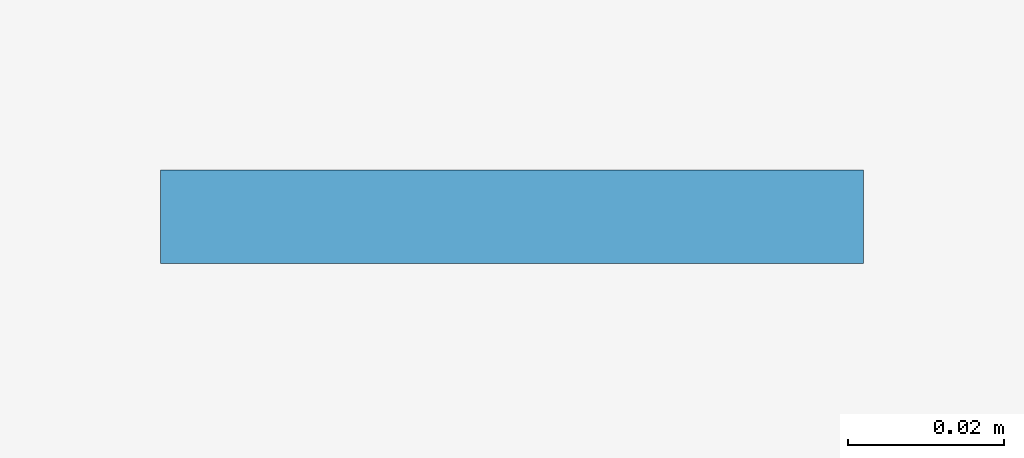
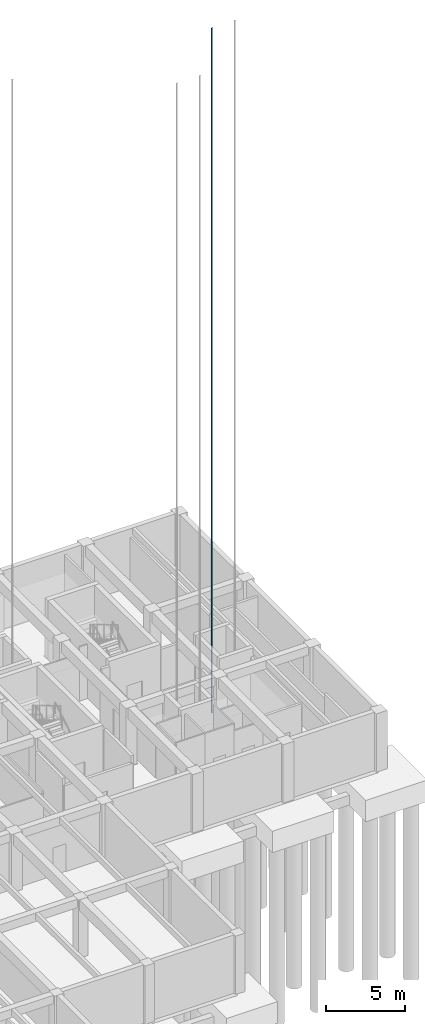
# One storey, part 30 of 44: 1 plate.
"""IFC4 building model written with IfcOpenShell, lengths in metres."""

import ifcopenshell
import ifcopenshell.guid

model = None  # the IFC model being written
_history = None  # IfcOwnerHistory: only IFC2X3 demands one
_inside = {}  # id of a spatial element -> (the spatial element, [elements in it])
_under = {}  # id of a project, library or spatial element -> (it, [spatial elements below it])
_declared = {}  # id of a project -> (the project, [libraries it declares])
_typed = {}  # id of a type object -> (the type object, [elements of that type])
_made_of = {}  # id of a material, layer set ... -> (it, [elements and type objects made of it])


def new_model(schema):
    """Start an empty IFC model of exactly this schema.

    Asked for "IFC4X3", IfcOpenShell would pick the latest addendum, in which some entities
    have other attributes; the version numbers below select the first issue.
    IFC2X3 requires an IfcOwnerHistory on every rooted entity: one is made here for all.
    """
    global model, _history
    if schema == "IFC4X3":
        model = ifcopenshell.file(schema_version=(4, 3, 0, 0))
    else:
        model = ifcopenshell.file(schema=schema)
    _inside.clear()
    _under.clear()
    _declared.clear()
    _typed.clear()
    _made_of.clear()
    _history = None
    if model.schema == "IFC2X3":
        org = make("IfcOrganization", Name="unknown")
        user = make(
            "IfcPersonAndOrganization",
            ThePerson=make("IfcPerson", FamilyName="unknown"),
            TheOrganization=org,
        )
        app = make(
            "IfcApplication",
            ApplicationDeveloper=org,
            Version="unknown",
            ApplicationFullName="unknown",
            ApplicationIdentifier="unknown",
        )
        _history = make(
            "IfcOwnerHistory",
            OwningUser=user,
            OwningApplication=app,
            ChangeAction="ADDED",
            CreationDate=0,
        )
    return model


def make(cls, **values):
    """One entity of the class cls with the attributes given. An attribute that is None is left unset."""
    return model.create_entity(
        cls, **{name: value for name, value in values.items() if value is not None}
    )


def rooted(cls, **values):
    """An entity with a GlobalId (a new one), such as an element, a storey or a relation."""
    return make(cls, GlobalId=ifcopenshell.guid.new(), OwnerHistory=_history, **values)


def si_unit(unit_type, name, prefix=None):
    """IfcSIUnit, for example si_unit("LENGTHUNIT", "METRE", prefix="MILLI")."""
    return make("IfcSIUnit", UnitType=unit_type, Prefix=prefix, Name=name)


def assignment(units):
    """IfcUnitAssignment: the units of a project."""
    return None if units is None else make("IfcUnitAssignment", Units=units)


def point(xyz):
    """IfcCartesianPoint."""
    return None if xyz is None else make("IfcCartesianPoint", Coordinates=xyz)


def direction(xyz):
    """IfcDirection."""
    return None if xyz is None else make("IfcDirection", DirectionRatios=xyz)


def frame(location, z_axis=None, x_axis=None):
    """IfcAxis2Placement3D, a coordinate frame: its origin and axes. An axis left out is left unset."""
    return make(
        "IfcAxis2Placement3D",
        Location=point(location),
        Axis=direction(z_axis),
        RefDirection=direction(x_axis),
    )


def frame_2d(location, x_axis=None):
    """IfcAxis2Placement2D, a coordinate frame in the plane: its origin and x axis."""
    return make(
        "IfcAxis2Placement2D", Location=point(location), RefDirection=direction(x_axis)
    )


def origin():
    """The frame at (0, 0, 0) with its axes left unset."""
    return frame((0.0, 0.0, 0.0))


def origin_2d():
    """The frame at (0, 0) in the plane with its x axis left unset."""
    return frame_2d((0.0, 0.0))


def place(relative_to, where):
    """IfcLocalPlacement: puts the frame where relative to a parent placement (None: the world)."""
    return make(
        "IfcLocalPlacement", PlacementRelTo=relative_to, RelativePlacement=where
    )


def context(
    kind, dimensions, precision=None, world=None, true_north=None, identifier=None
):
    """IfcGeometricRepresentationContext, for example the 3D "Model" context."""
    return make(
        "IfcGeometricRepresentationContext",
        ContextIdentifier=identifier,
        ContextType=kind,
        CoordinateSpaceDimension=dimensions,
        Precision=precision,
        WorldCoordinateSystem=world,
        TrueNorth=true_north,
    )


def subcontext(parent, identifier, kind, view, scale=None):
    """IfcGeometricRepresentationSubContext, for example "Body" below "Model"."""
    return make(
        "IfcGeometricRepresentationSubContext",
        ContextIdentifier=identifier,
        ContextType=kind,
        ParentContext=parent,
        TargetScale=scale,
        TargetView=view,
    )


def project(units=None, contexts=None):
    """IfcProject with its units and contexts."""
    return rooted(
        "IfcProject",
        Name="project",
        RepresentationContexts=contexts,
        UnitsInContext=assignment(units),
    )


def spatial(cls, under=None, at=None, **own):
    """A site, building, storey or space (cls), placed at a placement, below another one or the project."""
    s = rooted(cls, ObjectPlacement=at, **own)
    if under is not None:
        _under.setdefault(under.id(), (under, []))[1].append(s)
    return s


def profile(cls, at=None, kind="AREA", **sizes):
    """A parametric profile (cls). Its sizes go by their IFC names, for example OverallWidth=200.0."""
    return make(cls, ProfileType=kind, Position=at, **sizes)


def rectangle(**sizes):
    """IfcRectangleProfileDef."""
    return profile("IfcRectangleProfileDef", **sizes)


def extrude(swept, where, along, depth):
    """IfcExtrudedAreaSolid: the profile swept, set in the frame where, extruded along a direction by depth."""
    return make(
        "IfcExtrudedAreaSolid",
        SweptArea=swept,
        Position=where,
        ExtrudedDirection=direction(along),
        Depth=depth,
    )


def shape(context_of_items, identifier, shape_type, items):
    """IfcShapeRepresentation: the items that make up one representation, for example the "Body"."""
    return make(
        "IfcShapeRepresentation",
        ContextOfItems=context_of_items,
        RepresentationIdentifier=identifier,
        RepresentationType=shape_type,
        Items=items,
    )


def material(Name=None, Category=None):
    """IfcMaterial."""
    return make("IfcMaterial", Name=Name, Category=Category)


def layer(
    of_material, thickness, ventilated=None, Name=None, Category=None, Priority=None
):
    """IfcMaterialLayer: one layer of a wall or slab, of a material (None: an air gap)."""
    return make(
        "IfcMaterialLayer",
        Material=of_material,
        LayerThickness=thickness,
        IsVentilated=ventilated,
        Name=Name,
        Category=Category,
        Priority=Priority,
    )


def layer_set(layers, Name=None):
    """IfcMaterialLayerSet."""
    return make("IfcMaterialLayerSet", MaterialLayers=layers, LayerSetName=Name)


def made_of(thing, what):
    """Note that an element or type object is made of a material, layer set ...; save() writes the relation."""
    if what is not None:
        _made_of.setdefault(what.id(), (what, []))[1].append(thing)
    return thing


def type_object(cls, material=None, **own):
    """A type object (cls), such as IfcWallType, which elements share."""
    return made_of(rooted(cls, **own), material)


def element(
    cls,
    number,
    at=None,
    inside=None,
    cuts=None,
    type_object=None,
    material=None,
    context=None,
    identifier="Body",
    shape_type=None,
    held_by="IfcProductDefinitionShape",
    body=None,
    shapes=None,
    **own,
):
    """One element of the class cls, such as IfcWall. Its Tag is "e" and its number.

    at: its placement. inside: the storey or other place that contains it. cuts: it is an
    opening in that element (IfcRelVoidsElement). A single representation is given by context,
    identifier, shape_type and body (its items); several are given by shapes. held_by: the class
    of the entity that holds the representations. save() writes the other relations.
    """
    e = rooted(cls, Tag="e%d" % number, ObjectPlacement=at, **own)
    if body is not None:
        shapes = [shape(context, identifier, shape_type, body)]
    if shapes is not None:
        e.Representation = make(held_by, Representations=shapes)
    if inside is not None:
        _inside.setdefault(inside.id(), (inside, []))[1].append(e)
    if cuts is not None:
        rooted(
            "IfcRelVoidsElement", RelatingBuildingElement=cuts, RelatedOpeningElement=e
        )
    if type_object is not None:
        _typed.setdefault(type_object.id(), (type_object, []))[1].append(e)
    return made_of(e, material)


def aggregate(whole, parts):
    """IfcRelAggregates: a whole, such as a stair, and the parts it consists of."""
    return rooted("IfcRelAggregates", RelatingObject=whole, RelatedObjects=parts)


def save(model, path):
    """Write the relations noted so far, then the file.

    IfcRelAggregates (storeys below a building ...), IfcRelContainedInSpatialStructure (elements
    in a storey), IfcRelDefinesByType, IfcRelAssociatesMaterial and IfcRelDeclares: one each for
    every whole, place, type object, material and project.
    """
    for whole, parts in _under.values():
        aggregate(whole, parts)
    for where, things in _inside.values():
        rooted(
            "IfcRelContainedInSpatialStructure",
            RelatedElements=things,
            RelatingStructure=where,
        )
    for kind, things in _typed.values():
        rooted("IfcRelDefinesByType", RelatedObjects=things, RelatingType=kind)
    for what, things in _made_of.values():
        rooted("IfcRelAssociatesMaterial", RelatedObjects=things, RelatingMaterial=what)
    for by, libraries in _declared.values():
        rooted("IfcRelDeclares", RelatingContext=by, RelatedDefinitions=libraries)
    model.write(path)


model = new_model("IFC4")

# Units and contexts
model_context = context("Model", 3, precision=1e-05, world=origin(), true_north=direction((0.0, 1.0)))
body_context = subcontext(model_context, "Body", "Model", "MODEL_VIEW")
ifc_project = project(units=[si_unit("LENGTHUNIT", "METRE"), si_unit("AREAUNIT", "SQUARE_METRE"), si_unit("VOLUMEUNIT", "CUBIC_METRE"), si_unit("PLANEANGLEUNIT", "RADIAN"), si_unit("MASSUNIT", "GRAM", prefix="KILO")], contexts=[model_context])

# Site, building, storey
site_placement = place(None, origin())
site = spatial("IfcSite", under=ifc_project, at=site_placement, CompositionType="ELEMENT")
building_placement = place(site_placement, origin())
building = spatial("IfcBuilding", under=site, at=building_placement, Name="Kolvaren Faculty of Natural Sciences", CompositionType="ELEMENT")
storey_placement = place(building_placement, frame((0.0, 0.0, -4.5)))
storey = spatial("IfcBuildingStorey", under=building, at=storey_placement, Name="B01", CompositionType="ELEMENT", Elevation=-4.5)

# Plate
ifc_material = material(Name="Structural steel EN 10025-2 S355J2", Category="steel")
ifc_layer = layer(ifc_material, 0.011962890625)
ifc_layer_set = layer_set([ifc_layer], Name="Structural steel EN 10025-2 S355J2")
plate_type = type_object("IfcPlateType", Name="LiftGuideRail_T89", PredefinedType="USERDEFINED", material=ifc_layer_set)
plate_placement = place(storey_placement, frame((166.4599609375, 70.449951171875, -0.81982421875), z_axis=(0.0, 0.0, 1.0), x_axis=(1.0, 0.0, 0.0)))
element("IfcPlate", 1, at=plate_placement, inside=storey, type_object=plate_type, Name="Lift FL-1 steel guide rail 1", ObjectType="GUIDE RAIL", PredefinedType="USERDEFINED", context=body_context, shape_type="SweptSolid", body=[
    extrude(rectangle(XDim=0.090087890625, YDim=0.011962890625, at=origin_2d()), origin(), (0.0, 0.0, 1.0), 52.820068359375),
])

save(model, "model.ifc")
